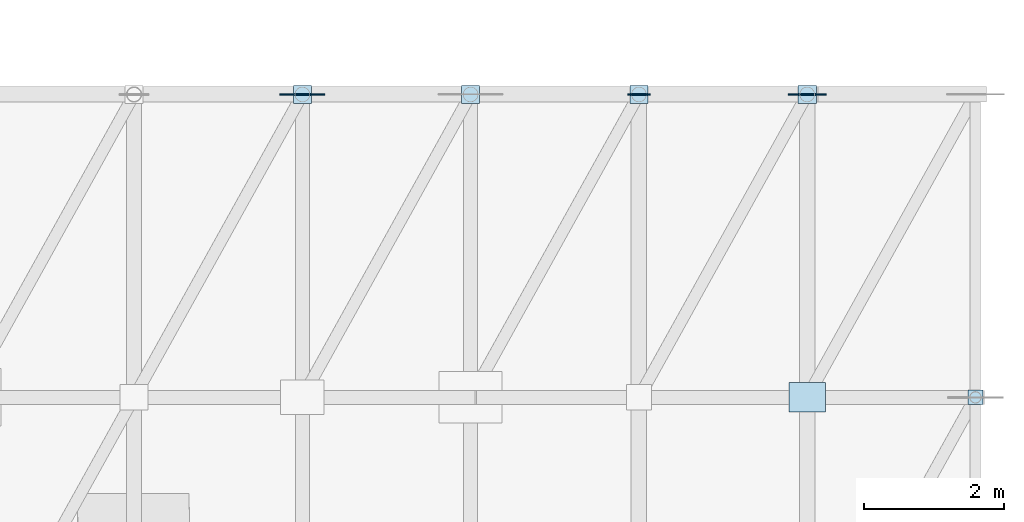
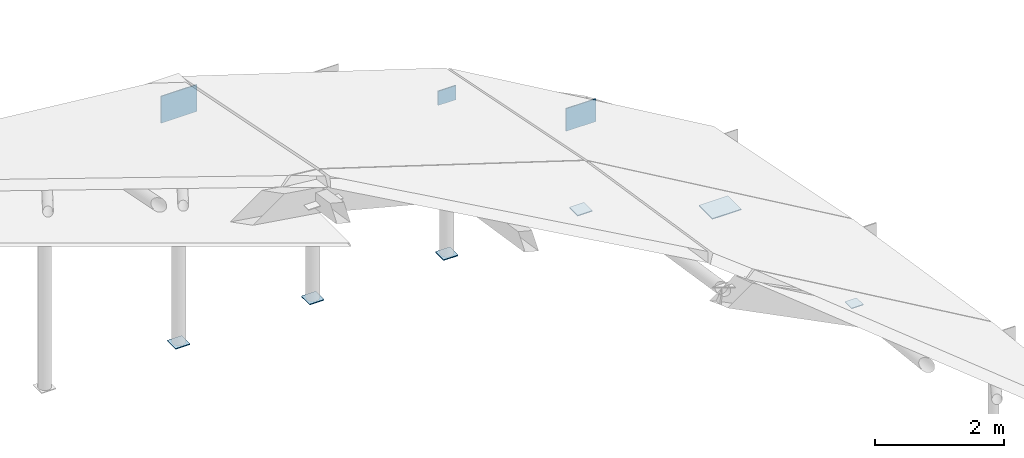
# One storey, part 32 of 35: 9 plates.
"""IFC4 building model written with IfcOpenShell, lengths in metres."""

from ifc_helpers import new_model, si_unit, direction, frame, origin, origin_2d, place, context, subcontext, project, spatial, rectangle, extrude, material, layer, layer_set, type_object, element, save


model = new_model("IFC4")

# Units and contexts
model_context = context("Model", 3, precision=1e-05, world=origin(), true_north=direction((0.0, 1.0)))
body_context = subcontext(model_context, "Body", "Model", "MODEL_VIEW")
ifc_project = project(units=[si_unit("LENGTHUNIT", "METRE"), si_unit("AREAUNIT", "SQUARE_METRE"), si_unit("VOLUMEUNIT", "CUBIC_METRE"), si_unit("PLANEANGLEUNIT", "RADIAN"), si_unit("MASSUNIT", "GRAM", prefix="KILO")], contexts=[model_context])

# Site, building, storey
site_placement = place(None, origin())
site = spatial("IfcSite", under=ifc_project, at=site_placement, CompositionType="ELEMENT")
building_placement = place(site_placement, origin())
building = spatial("IfcBuilding", under=site, at=building_placement, Name="Zarrinpeak Specialist Clinic", CompositionType="ELEMENT")
storey_placement = place(building_placement, frame((0.0, 0.0, 31.60009765625)))
storey = spatial("IfcBuildingStorey", under=building, at=storey_placement, Name="RF", CompositionType="ELEMENT", Elevation=31.60009765625)

# Plates
ifc_material = material(Name="Steel S355", Category="steel")
ifc_layer_1 = layer(ifc_material, 0.013916015625)
ifc_layer_set_1 = layer_set([ifc_layer_1], Name="Steel S355")
plate_type_1 = type_object("IfcPlateType", Name="PL-CAP168", PredefinedType="SHEET", material=ifc_layer_set_1)
plate_1_placement = place(storey_placement, frame((122.39990234375, 67.679931640625, -17.81201171875), z_axis=(0.0, 0.0, 1.0), x_axis=(1.0, 0.0, 0.0)))
element("IfcPlate", 1, at=plate_1_placement, inside=storey, type_object=plate_type_1, Name="V3 Gridshell Edge Post Cap Plate PCAP-040", PredefinedType="SHEET", context=body_context, shape_type="SweptSolid", body=[
    extrude(rectangle(XDim=0.2099609375, YDim=0.2099609375, at=origin_2d()), origin(), (0.0, 0.0, 1.0), 0.013916015625),
])
ifc_layer_2 = layer(ifc_material, 0.01611328125)
ifc_layer_set_2 = layer_set([ifc_layer_2], Name="Steel S355")
plate_type_2 = type_object("IfcPlateType", Name="PL-CAP219", PredefinedType="SHEET", material=ifc_layer_set_2)
for number, where, z_axis, x_axis, name in (
    (2, (112.800048828125, 72.0, -17.813232421875), (0.0, 0.0, 1.0), (1.0, 0.0, 0.0), "V3 Gridshell Post Base Cap Plate PCAP-016"),
    (3, (115.199951171875, 72.0, -17.813232421875), (0.0, 0.0, 1.0), (1.0, 0.0, 0.0), "V3 Gridshell Post Base Cap Plate PCAP-018"),
    (4, (117.60009765625, 72.0, -17.813232421875), (0.0, 0.0, 1.0), (1.0, 0.0, 0.0), "V3 Gridshell Post Base Cap Plate PCAP-020"),
    (5, (120.0, 72.0, -17.813232421875), (0.0, 0.0, 1.0), (1.0, 0.0, 0.0), "V3 Gridshell Post Base Cap Plate PCAP-022"),
):
    element("IfcPlate", number, at=place(storey_placement, frame(where, z_axis=z_axis, x_axis=x_axis)), inside=storey, type_object=plate_type_2, Name=name, PredefinedType="SHEET", context=body_context, shape_type="SweptSolid", body=[
        extrude(rectangle(XDim=0.260009765625, YDim=0.260009765625, at=origin_2d()), origin(), (0.0, 0.0, 1.0), 0.01611328125),
    ])
ifc_layer_3 = layer(ifc_material, 0.02001953125)
ifc_layer_set_3 = layer_set([ifc_layer_3], Name="Steel S355")
plate_type_3 = type_object("IfcPlateType", Name="PL-ND03", PredefinedType="SHEET", material=ifc_layer_set_3)
plate_2_placement = place(storey_placement, frame((117.60009765625, 72.0, -14.938720703125), z_axis=(0.0, 0.0, 1.0), x_axis=(1.0, 0.0, 0.0)))
element("IfcPlate", 6, at=plate_2_placement, inside=storey, type_object=plate_type_3, Name="V3 Gridshell Hub Node Plate GSN-I10-J10", PredefinedType="SHEET", context=body_context, shape_type="SweptSolid", body=[
    extrude(rectangle(XDim=0.320068359375, YDim=0.02001953125, at=origin_2d()), origin(), (0.0, 0.0, 1.0), 0.27001953125),
])
ifc_layer_4 = layer(ifc_material, 0.01611328125)
ifc_layer_set_4 = layer_set([ifc_layer_4], Name="Steel S355")
plate_type_4 = type_object("IfcPlateType", Name="PL-ND13", PredefinedType="SHEET", material=ifc_layer_set_4)
plate_3_placement = place(storey_placement, frame((120.0, 67.679931640625, -15.15966796875), z_axis=(0.0, 0.0, 1.0), x_axis=(1.0, 0.0, 0.0)))
element("IfcPlate", 7, at=plate_3_placement, inside=storey, type_object=plate_type_4, Name="V3 Gridshell Hub Node Plate GSN-I11-J09", PredefinedType="SHEET", context=body_context, shape_type="SweptSolid", body=[
    extrude(rectangle(XDim=0.52001953125, YDim=0.419921875, at=origin_2d()), origin(), (0.0, 0.0, 1.0), 0.01611328125),
])
ifc_layer_5 = layer(ifc_material, 0.01806640625)
ifc_layer_set_5 = layer_set([ifc_layer_5], Name="Steel S355")
plate_type_5 = type_object("IfcPlateType", Name="PL-ND14", PredefinedType="SHEET", material=ifc_layer_set_5)
plate_4_placement = place(storey_placement, frame((120.0, 72.0, -16.23046875), z_axis=(0.0, 0.0, 1.0), x_axis=(1.0, 0.0, 0.0)))
element("IfcPlate", 8, at=plate_4_placement, inside=storey, type_object=plate_type_5, Name="V3 Gridshell Hub Node Plate GSN-I11-J10", PredefinedType="SHEET", context=body_context, shape_type="SweptSolid", body=[
    extrude(rectangle(XDim=0.5400390625, YDim=0.01806640625, at=origin_2d()), origin(), (0.0, 0.0, 1.0), 0.429931640625),
])
ifc_layer_6 = layer(ifc_material, 0.01611328125)
ifc_layer_set_6 = layer_set([ifc_layer_6], Name="Steel S355")
plate_type_6 = type_object("IfcPlateType", Name="PL-ND19", PredefinedType="SHEET", material=ifc_layer_set_6)
plate_5_placement = place(storey_placement, frame((112.800048828125, 72.0, -13.5400390625), z_axis=(0.0, 0.0, 1.0), x_axis=(1.0, 0.0, 0.0)))
element("IfcPlate", 9, at=plate_5_placement, inside=storey, type_object=plate_type_6, Name="V3 Gridshell Hub Node Plate GSN-I08-J10", PredefinedType="SHEET", context=body_context, shape_type="SweptSolid", body=[
    extrude(rectangle(XDim=0.639892578125, YDim=0.01611328125, at=origin_2d()), origin(), (0.0, 0.0, 1.0), 0.510009765625),
])

save(model, "model.ifc")
